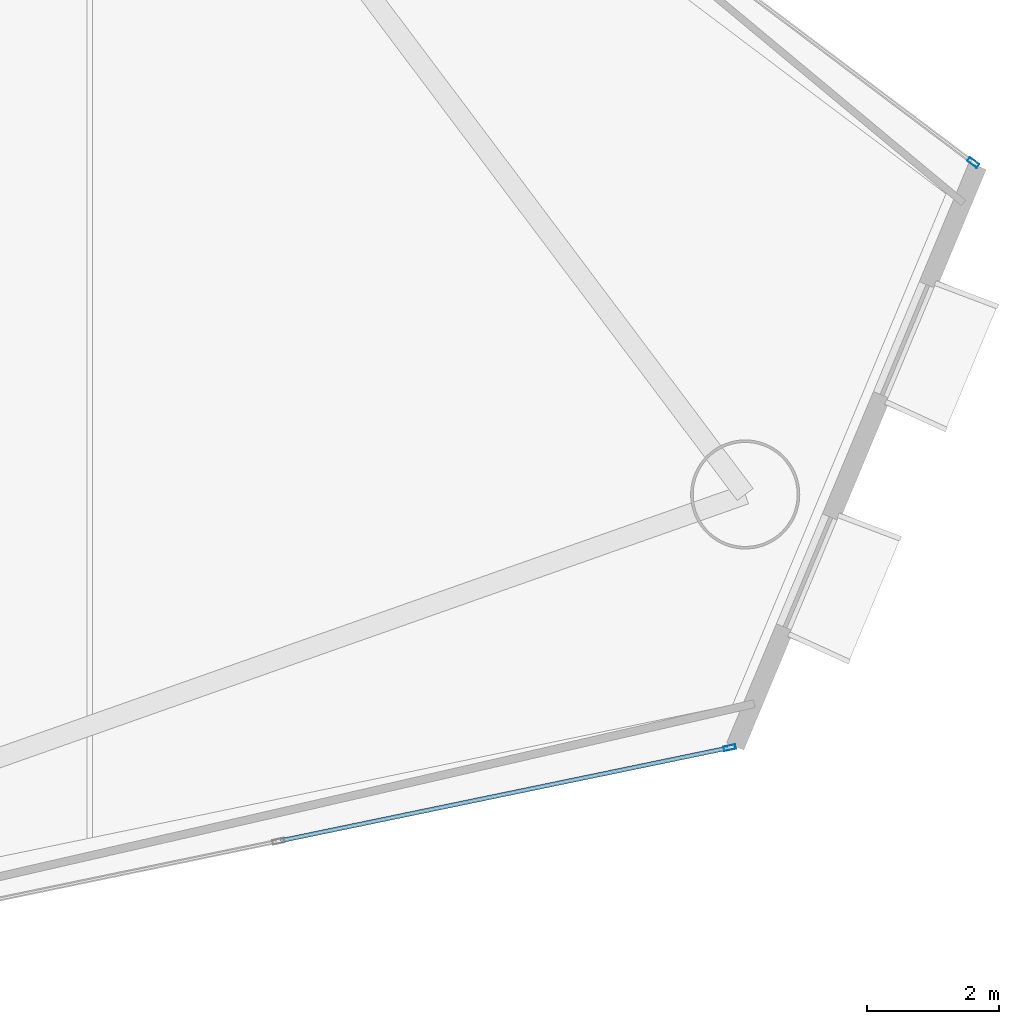
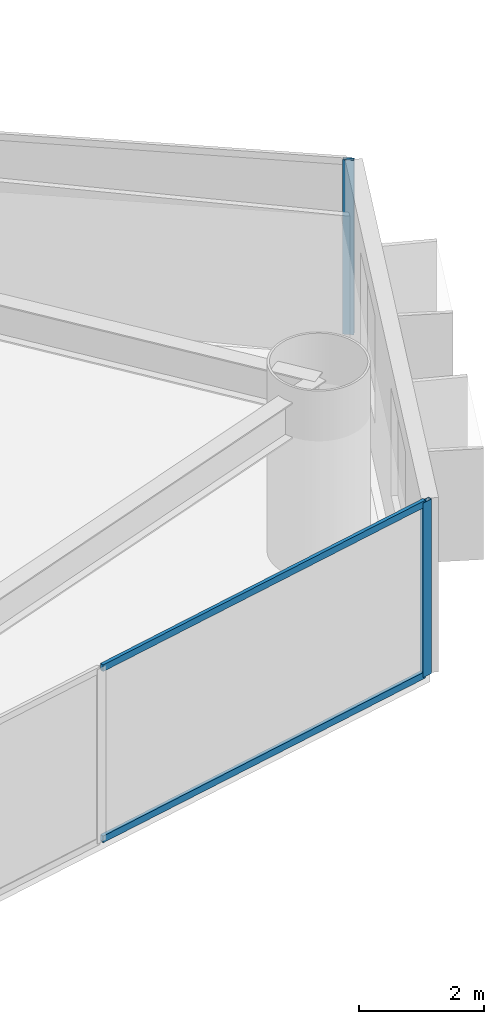
# One storey, part 11 of 22: 4 members, 2 elements without a shape of their own.
"""IFC4 building model written with IfcOpenShell, lengths in metres."""

from ifc_helpers import new_model, si_unit, direction, frame, origin, origin_2d, place, context, subcontext, project, spatial, hollow_rectangle, extrude, material, layer, layer_set, material_profile, profile_set, type_object, element, aggregate, save


model = new_model("IFC4")

# Units and contexts
model_context = context("Model", 3, precision=1e-05, world=origin(), true_north=direction((0.0, 1.0)))
body_context = subcontext(model_context, "Body", "Model", "MODEL_VIEW")
ifc_project = project(units=[si_unit("LENGTHUNIT", "METRE"), si_unit("AREAUNIT", "SQUARE_METRE"), si_unit("VOLUMEUNIT", "CUBIC_METRE"), si_unit("PLANEANGLEUNIT", "RADIAN"), si_unit("MASSUNIT", "GRAM", prefix="KILO")], contexts=[model_context])

# Site, building, storey
site_placement = place(None, origin())
site = spatial("IfcSite", under=ifc_project, at=site_placement, CompositionType="ELEMENT")
building_placement = place(site_placement, origin())
building = spatial("IfcBuilding", under=site, at=building_placement, Name="Qianvela Tower", CompositionType="ELEMENT")
storey_placement = place(building_placement, frame((0.0, 0.0, 89.5)))
storey = spatial("IfcBuildingStorey", under=building, at=storey_placement, Name="L22", CompositionType="ELEMENT", Elevation=89.5)

# Curtain wall, member
ifc_material_1 = material(Name="Anodised Architectural Aluminium and Low-E Glass", Category="aluminium")
ifc_layer = layer(ifc_material_1, 0.179931640625)
ifc_layer_set = layer_set([ifc_layer], Name="Anodised Architectural Aluminium and Low-E Glass")
curtain_wall_type = type_object("IfcCurtainWallType", Name="CW-COLIV-Z12", PredefinedType="USERDEFINED", material=ifc_layer_set)
curtain_wall_1_placement = place(storey_placement, origin())
curtain_wall_1 = element("IfcCurtainWall", 1, at=curtain_wall_1_placement, inside=storey, type_object=curtain_wall_type, Name="L22 CW-COLIV-Z12 Curtain Wall 02A", ObjectType="CURTAIN_WALL_SYSTEM", PredefinedType="USERDEFINED")
ifc_material_2 = material(Name="Anodised Architectural Aluminium 6063-T6", Category="aluminium")
ifc_material_profile_1 = material_profile(ifc_material_2, hollow_rectangle(XDim=0.070068359375, YDim=0.179931640625, WallThickness=0.0048828125, at=origin_2d()), Name="ALU-MULL-70x180")
ifc_profile_set_1 = profile_set([ifc_material_profile_1], Name="Anodised Architectural Aluminium 6063-T6")
member_type_1 = type_object("IfcMemberType", Name="CW-COLIV-Z12-MULL", PredefinedType="MULLION", material=ifc_profile_set_1)
member_1_placement = place(storey_placement, frame((59.64453125, 25.48388671875, 0.0), z_axis=(0.0, 0.0, 1.0), x_axis=(-0.601717504597, -0.798708986216, 0.0)))
member_1 = element("IfcMember", 2, at=member_1_placement, type_object=member_type_1, Name="CW-3 mullion 1", PredefinedType="MULLION", context=body_context, shape_type="SweptSolid", body=[
    extrude(hollow_rectangle(XDim=0.070068359375, YDim=0.179931640625, WallThickness=0.0048828125, at=origin_2d()), origin(), (0.0, 0.0, 1.0), 3.39990234375),
])
aggregate(curtain_wall_1, [member_1])

# Curtain wall, members
curtain_wall_2_placement = place(storey_placement, origin())
curtain_wall_2 = element("IfcCurtainWall", 3, at=curtain_wall_2_placement, inside=storey, type_object=curtain_wall_type, Name="L22 CW-COLIV-Z12 Curtain Wall 06C", ObjectType="CURTAIN_WALL_SYSTEM", PredefinedType="USERDEFINED")
member_2_placement = place(storey_placement, frame((55.96533203125, 16.64111328125, 0.0), z_axis=(0.0, 0.0, 1.0), x_axis=(-0.203004041838, 0.979177899565, 0.0)))
member_2 = element("IfcMember", 4, at=member_2_placement, type_object=member_type_1, Name="CW-3 mullion 3", PredefinedType="MULLION", context=body_context, shape_type="SweptSolid", body=[
    extrude(hollow_rectangle(XDim=0.070068359375, YDim=0.179931640625, WallThickness=0.0048828125, at=origin_2d()), origin(), (0.0, 0.0, 1.0), 3.39990234375),
])
ifc_material_3 = material(Name="Anodised Architectural Aluminium 6063-T6", Category="aluminium")
ifc_material_profile_2 = material_profile(ifc_material_3, hollow_rectangle(XDim=0.06494140625, YDim=0.1298828125, WallThickness=0.00439453125, at=origin_2d()), Name="ALU-TRAN-65x130")
ifc_profile_set_2 = profile_set([ifc_material_profile_2], Name="Anodised Architectural Aluminium 6063-T6")
member_type_2 = type_object("IfcMemberType", Name="CW-COLIV-Z12-TRAN", PredefinedType="USERDEFINED", material=ifc_profile_set_2)
member_3_placement = place(storey_placement, frame((49.179443359375, 15.234375, 0.032470703125), z_axis=(0.979181133066, 0.202988444616, 0.0), x_axis=(-0.202988444616, 0.979181133066, 0.0)))
member_3 = element("IfcMember", 5, at=member_3_placement, type_object=member_type_2, Name="CW-3 transom 2.1", ObjectType="TRANSOM", PredefinedType="USERDEFINED", context=body_context, shape_type="SweptSolid", body=[
    extrude(hollow_rectangle(XDim=0.06494140625, YDim=0.1298828125, WallThickness=0.00439453125, at=origin_2d()), origin(), (0.0, 0.0, 1.0), 6.895263671875),
])
member_4_placement = place(storey_placement, frame((49.179443359375, 15.234375, 3.367431640625), z_axis=(0.979181133066, 0.202988444616, 0.0), x_axis=(-0.202988444616, 0.979181133066, 0.0)))
member_4 = element("IfcMember", 6, at=member_4_placement, type_object=member_type_2, Name="CW-3 transom 2.2", ObjectType="TRANSOM", PredefinedType="USERDEFINED", context=body_context, shape_type="SweptSolid", body=[
    extrude(hollow_rectangle(XDim=0.06494140625, YDim=0.1298828125, WallThickness=0.00439453125, at=origin_2d()), origin(), (0.0, 0.0, 1.0), 6.895263671875),
])
aggregate(curtain_wall_2, [member_2, member_3, member_4])

save(model, "model.ifc")
